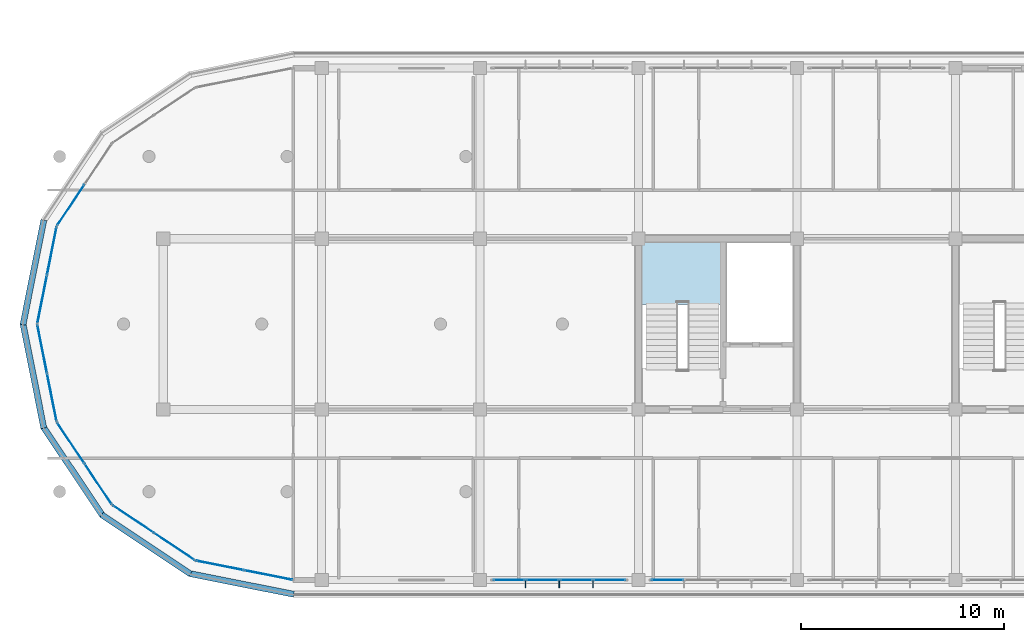
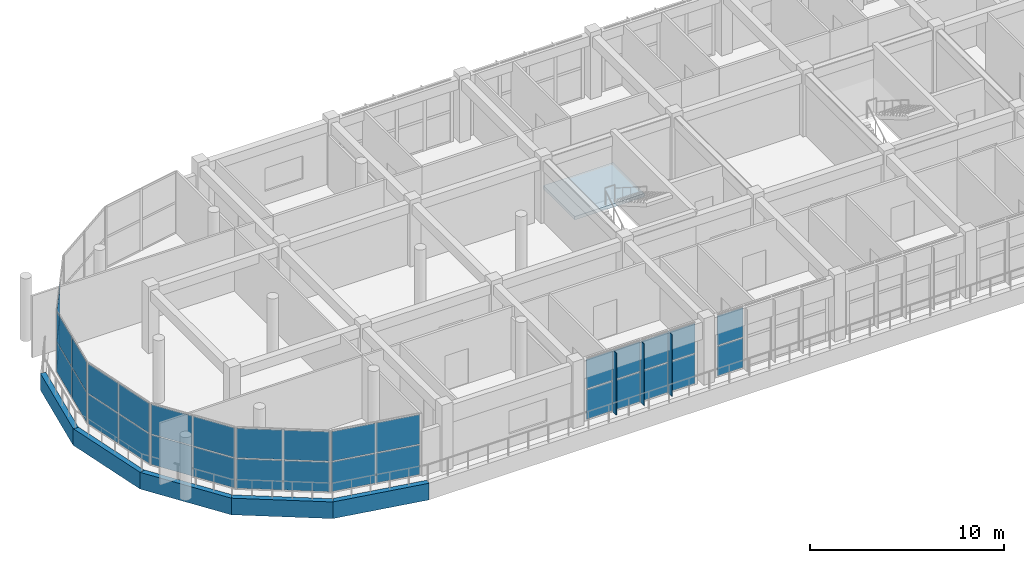
# One storey, part 37 of 57: 40 plates, 1 slab, 9 elements without a shape of their own.
"""IFC4 building model written with IfcOpenShell, lengths in metres."""

from ifc_helpers import new_model, si_unit, direction, frame, origin, origin_2d, place, context, subcontext, project, spatial, polyline, rectangle, outline, extrude, material, layer, layer_set, type_object, element, aggregate, save


model = new_model("IFC4")

# Units and contexts
model_context = context("Model", 3, precision=1e-05, world=origin(), true_north=direction((0.0, 1.0)))
body_context = subcontext(model_context, "Body", "Model", "MODEL_VIEW")
ifc_project = project(units=[si_unit("LENGTHUNIT", "METRE"), si_unit("AREAUNIT", "SQUARE_METRE"), si_unit("VOLUMEUNIT", "CUBIC_METRE"), si_unit("PLANEANGLEUNIT", "RADIAN"), si_unit("MASSUNIT", "GRAM", prefix="KILO")], contexts=[model_context])

# Site, building, storey
site_placement = place(None, origin())
site = spatial("IfcSite", under=ifc_project, at=site_placement, CompositionType="ELEMENT")
building_placement = place(site_placement, origin())
building = spatial("IfcBuilding", under=site, at=building_placement, Name="Zizhar Promenade General Hospital", CompositionType="ELEMENT")
storey_placement = place(building_placement, frame((0.0, 0.0, 22.199951171875)))
storey = spatial("IfcBuildingStorey", under=building, at=storey_placement, Name="L05", CompositionType="ELEMENT", Elevation=22.199951171875)

# Curtain wall, plates
ifc_material_1 = material(Name="Anodised aluminium 6063-T6 and low-E glass", Category="aluminium")
ifc_layer_1 = layer(ifc_material_1, 0.159912109375)
ifc_layer_set_1 = layer_set([ifc_layer_1], Name="Anodised aluminium 6063-T6 and low-E glass")
curtain_wall_type_1 = type_object("IfcCurtainWallType", Name="CW-WARD-ARC", PredefinedType="NOTDEFINED", material=ifc_layer_set_1)
curtain_wall_1_placement = place(storey_placement, origin())
curtain_wall_1 = element("IfcCurtainWall", 1, at=curtain_wall_1_placement, inside=storey, type_object=curtain_wall_type_1, Name="Ward Semicircular End Glazing L05-12", PredefinedType="NOTDEFINED")
ifc_material_2 = material(Name="Low-E solar-control glass", Category="glass")
ifc_layer_2 = layer(ifc_material_2, 0.031982421875)
ifc_layer_set_2 = layer_set([ifc_layer_2], Name="Low-E solar-control glass")
plate_type_1 = type_object("IfcPlateType", Name="CWP-GLZ-32", PredefinedType="CURTAIN_PANEL", material=ifc_layer_set_2)
plate_1_placement = place(storey_placement, frame((18.850341796875, 18.456298828125, 0.06005859375), z_axis=(0.0, 0.0, 1.0), x_axis=(0.555582352095, 0.831461514468, 0.0)))
plate_1 = element("IfcPlate", 2, at=plate_1_placement, type_object=plate_type_1, Name="CW-12 panel 1.1", PredefinedType="CURTAIN_PANEL", context=body_context, shape_type="SweptSolid", body=[
    extrude(rectangle(XDim=2.3681640625, YDim=0.031982421875, at=origin_2d()), origin(), (0.0, 0.0, 1.0), 1.860107421875),
])
plate_2_placement = place(storey_placement, frame((18.850341796875, 18.456298828125, 1.97998046875), z_axis=(0.0, 0.0, 1.0), x_axis=(0.555582352095, 0.831461514468, 0.0)))
plate_2 = element("IfcPlate", 3, at=plate_2_placement, type_object=plate_type_1, Name="CW-12 panel 1.2", PredefinedType="CURTAIN_PANEL", context=body_context, shape_type="SweptSolid", body=[
    extrude(rectangle(XDim=2.3681640625, YDim=0.031982421875, at=origin_2d()), origin(), (0.0, 0.0, 1.0), 1.860107421875),
])
aggregate(curtain_wall_1, [plate_1, plate_2])

curtain_wall_2_placement = place(storey_placement, origin())
curtain_wall_2 = element("IfcCurtainWall", 4, at=curtain_wall_2_placement, inside=storey, type_object=curtain_wall_type_1, Name="Ward Semicircular End Glazing L05-13", PredefinedType="NOTDEFINED")
plate_3_placement = place(storey_placement, frame((17.442626953125, 13.820068359375, 0.06005859375), z_axis=(0.0, 0.0, 1.0), x_axis=(0.195087259275, 0.980785889615, 0.0)))
plate_3 = element("IfcPlate", 5, at=plate_3_placement, type_object=plate_type_1, Name="CW-12 panel 1.1", PredefinedType="CURTAIN_PANEL", context=body_context, shape_type="SweptSolid", body=[
    extrude(rectangle(XDim=2.3681640625, YDim=0.031982421875, at=origin_2d()), origin(), (0.0, 0.0, 1.0), 1.860107421875),
])
plate_4_placement = place(storey_placement, frame((17.442626953125, 13.820068359375, 1.97998046875), z_axis=(0.0, 0.0, 1.0), x_axis=(0.195087259275, 0.980785889615, 0.0)))
plate_4 = element("IfcPlate", 6, at=plate_4_placement, type_object=plate_type_1, Name="CW-12 panel 1.2", PredefinedType="CURTAIN_PANEL", context=body_context, shape_type="SweptSolid", body=[
    extrude(rectangle(XDim=2.3681640625, YDim=0.031982421875, at=origin_2d()), origin(), (0.0, 0.0, 1.0), 1.860107421875),
])
plate_5_placement = place(storey_placement, frame((17.91650390625, 16.20166015625, 0.06005859375), z_axis=(0.0, 0.0, 1.0), x_axis=(0.195087259275, 0.980785889615, 0.0)))
plate_5 = element("IfcPlate", 7, at=plate_5_placement, type_object=plate_type_1, Name="CW-12 panel 2.1", PredefinedType="CURTAIN_PANEL", context=body_context, shape_type="SweptSolid", body=[
    extrude(rectangle(XDim=2.3681640625, YDim=0.031982421875, at=origin_2d()), origin(), (0.0, 0.0, 1.0), 1.860107421875),
])
plate_6_placement = place(storey_placement, frame((17.91650390625, 16.20166015625, 1.97998046875), z_axis=(0.0, 0.0, 1.0), x_axis=(0.195087259275, 0.980785889615, 0.0)))
plate_6 = element("IfcPlate", 8, at=plate_6_placement, type_object=plate_type_1, Name="CW-12 panel 2.2", PredefinedType="CURTAIN_PANEL", context=body_context, shape_type="SweptSolid", body=[
    extrude(rectangle(XDim=2.3681640625, YDim=0.031982421875, at=origin_2d()), origin(), (0.0, 0.0, 1.0), 1.860107421875),
])
aggregate(curtain_wall_2, [plate_3, plate_4, plate_5, plate_6])

curtain_wall_3_placement = place(storey_placement, origin())
curtain_wall_3 = element("IfcCurtainWall", 9, at=curtain_wall_3_placement, inside=storey, type_object=curtain_wall_type_1, Name="Ward Semicircular End Glazing L05-14", PredefinedType="NOTDEFINED")
plate_7_placement = place(storey_placement, frame((17.91650390625, 8.998291015625, 0.06005859375), z_axis=(0.0, 0.0, 1.0), x_axis=(-0.195087259275, 0.980785889615, 0.0)))
plate_7 = element("IfcPlate", 10, at=plate_7_placement, type_object=plate_type_1, Name="CW-12 panel 1.1", PredefinedType="CURTAIN_PANEL", context=body_context, shape_type="SweptSolid", body=[
    extrude(rectangle(XDim=2.3681640625, YDim=0.031982421875, at=origin_2d()), origin(), (0.0, 0.0, 1.0), 1.860107421875),
])
plate_8_placement = place(storey_placement, frame((17.91650390625, 8.998291015625, 1.97998046875), z_axis=(0.0, 0.0, 1.0), x_axis=(-0.195087259275, 0.980785889615, 0.0)))
plate_8 = element("IfcPlate", 11, at=plate_8_placement, type_object=plate_type_1, Name="CW-12 panel 1.2", PredefinedType="CURTAIN_PANEL", context=body_context, shape_type="SweptSolid", body=[
    extrude(rectangle(XDim=2.3681640625, YDim=0.031982421875, at=origin_2d()), origin(), (0.0, 0.0, 1.0), 1.860107421875),
])
plate_9_placement = place(storey_placement, frame((17.442626953125, 11.3798828125, 0.06005859375), z_axis=(0.0, 0.0, 1.0), x_axis=(-0.195087259275, 0.980785889615, 0.0)))
plate_9 = element("IfcPlate", 12, at=plate_9_placement, type_object=plate_type_1, Name="CW-12 panel 2.1", PredefinedType="CURTAIN_PANEL", context=body_context, shape_type="SweptSolid", body=[
    extrude(rectangle(XDim=2.3681640625, YDim=0.031982421875, at=origin_2d()), origin(), (0.0, 0.0, 1.0), 1.860107421875),
])
plate_10_placement = place(storey_placement, frame((17.442626953125, 11.3798828125, 1.97998046875), z_axis=(0.0, 0.0, 1.0), x_axis=(-0.195087259275, 0.980785889615, 0.0)))
plate_10 = element("IfcPlate", 13, at=plate_10_placement, type_object=plate_type_1, Name="CW-12 panel 2.2", PredefinedType="CURTAIN_PANEL", context=body_context, shape_type="SweptSolid", body=[
    extrude(rectangle(XDim=2.3681640625, YDim=0.031982421875, at=origin_2d()), origin(), (0.0, 0.0, 1.0), 1.860107421875),
])
aggregate(curtain_wall_3, [plate_7, plate_8, plate_9, plate_10])

curtain_wall_4_placement = place(storey_placement, origin())
curtain_wall_4 = element("IfcCurtainWall", 14, at=curtain_wall_4_placement, inside=storey, type_object=curtain_wall_type_1, Name="Ward Semicircular End Glazing L05-15", PredefinedType="NOTDEFINED")
plate_11_placement = place(storey_placement, frame((20.19921875, 4.724853515625, 0.06005859375), z_axis=(0.0, 0.0, 1.0), x_axis=(-0.555582352095, 0.831461514468, 0.0)))
plate_11 = element("IfcPlate", 15, at=plate_11_placement, type_object=plate_type_1, Name="CW-12 panel 1.1", PredefinedType="CURTAIN_PANEL", context=body_context, shape_type="SweptSolid", body=[
    extrude(rectangle(XDim=2.3681640625, YDim=0.031982421875, at=origin_2d()), origin(), (0.0, 0.0, 1.0), 1.860107421875),
])
plate_12_placement = place(storey_placement, frame((20.19921875, 4.724853515625, 1.97998046875), z_axis=(0.0, 0.0, 1.0), x_axis=(-0.555582352095, 0.831461514468, 0.0)))
plate_12 = element("IfcPlate", 16, at=plate_12_placement, type_object=plate_type_1, Name="CW-12 panel 1.2", PredefinedType="CURTAIN_PANEL", context=body_context, shape_type="SweptSolid", body=[
    extrude(rectangle(XDim=2.3681640625, YDim=0.031982421875, at=origin_2d()), origin(), (0.0, 0.0, 1.0), 1.860107421875),
])
plate_13_placement = place(storey_placement, frame((18.850341796875, 6.743896484375, 0.06005859375), z_axis=(0.0, 0.0, 1.0), x_axis=(-0.555582352095, 0.831461514468, 0.0)))
plate_13 = element("IfcPlate", 17, at=plate_13_placement, type_object=plate_type_1, Name="CW-12 panel 2.1", PredefinedType="CURTAIN_PANEL", context=body_context, shape_type="SweptSolid", body=[
    extrude(rectangle(XDim=2.3681640625, YDim=0.031982421875, at=origin_2d()), origin(), (0.0, 0.0, 1.0), 1.860107421875),
])
plate_14_placement = place(storey_placement, frame((18.850341796875, 6.743896484375, 1.97998046875), z_axis=(0.0, 0.0, 1.0), x_axis=(-0.555582352095, 0.831461514468, 0.0)))
plate_14 = element("IfcPlate", 18, at=plate_14_placement, type_object=plate_type_1, Name="CW-12 panel 2.2", PredefinedType="CURTAIN_PANEL", context=body_context, shape_type="SweptSolid", body=[
    extrude(rectangle(XDim=2.3681640625, YDim=0.031982421875, at=origin_2d()), origin(), (0.0, 0.0, 1.0), 1.860107421875),
])
aggregate(curtain_wall_4, [plate_11, plate_12, plate_13, plate_14])

curtain_wall_5_placement = place(storey_placement, origin())
curtain_wall_5 = element("IfcCurtainWall", 19, at=curtain_wall_5_placement, inside=storey, type_object=curtain_wall_type_1, Name="Ward Semicircular End Glazing L05-16", PredefinedType="NOTDEFINED")
plate_15_placement = place(storey_placement, frame((23.94384765625, 1.650390625, 0.06005859375), z_axis=(0.0, 0.0, 1.0), x_axis=(-0.831461514468, 0.555582352095, 0.0)))
plate_15 = element("IfcPlate", 20, at=plate_15_placement, type_object=plate_type_1, Name="CW-12 panel 1.1", PredefinedType="CURTAIN_PANEL", context=body_context, shape_type="SweptSolid", body=[
    extrude(rectangle(XDim=2.3681640625, YDim=0.031982421875, at=origin_2d()), origin(), (0.0, 0.0, 1.0), 1.860107421875),
])
plate_16_placement = place(storey_placement, frame((23.94384765625, 1.650390625, 1.97998046875), z_axis=(0.0, 0.0, 1.0), x_axis=(-0.831461514468, 0.555582352095, 0.0)))
plate_16 = element("IfcPlate", 21, at=plate_16_placement, type_object=plate_type_1, Name="CW-12 panel 1.2", PredefinedType="CURTAIN_PANEL", context=body_context, shape_type="SweptSolid", body=[
    extrude(rectangle(XDim=2.3681640625, YDim=0.031982421875, at=origin_2d()), origin(), (0.0, 0.0, 1.0), 1.860107421875),
])
plate_17_placement = place(storey_placement, frame((21.9248046875, 2.999267578125, 0.06005859375), z_axis=(0.0, 0.0, 1.0), x_axis=(-0.831461514468, 0.555582352095, 0.0)))
plate_17 = element("IfcPlate", 22, at=plate_17_placement, type_object=plate_type_1, Name="CW-12 panel 2.1", PredefinedType="CURTAIN_PANEL", context=body_context, shape_type="SweptSolid", body=[
    extrude(rectangle(XDim=2.3681640625, YDim=0.031982421875, at=origin_2d()), origin(), (0.0, 0.0, 1.0), 1.860107421875),
])
plate_18_placement = place(storey_placement, frame((21.9248046875, 2.999267578125, 1.97998046875), z_axis=(0.0, 0.0, 1.0), x_axis=(-0.831461514468, 0.555582352095, 0.0)))
plate_18 = element("IfcPlate", 23, at=plate_18_placement, type_object=plate_type_1, Name="CW-12 panel 2.2", PredefinedType="CURTAIN_PANEL", context=body_context, shape_type="SweptSolid", body=[
    extrude(rectangle(XDim=2.3681640625, YDim=0.031982421875, at=origin_2d()), origin(), (0.0, 0.0, 1.0), 1.860107421875),
])
aggregate(curtain_wall_5, [plate_15, plate_16, plate_17, plate_18])

curtain_wall_6_placement = place(storey_placement, origin())
curtain_wall_6 = element("IfcCurtainWall", 24, at=curtain_wall_6_placement, inside=storey, type_object=curtain_wall_type_1, Name="Ward Semicircular End Glazing L05-17", PredefinedType="NOTDEFINED")
plate_19_placement = place(storey_placement, frame((28.579833984375, 0.24267578125, 0.06005859375), z_axis=(0.0, 0.0, 1.0), x_axis=(-0.980785889615, 0.195087259275, 0.0)))
plate_19 = element("IfcPlate", 25, at=plate_19_placement, type_object=plate_type_1, Name="CW-12 panel 1.1", PredefinedType="CURTAIN_PANEL", context=body_context, shape_type="SweptSolid", body=[
    extrude(rectangle(XDim=2.3681640625, YDim=0.031982421875, at=origin_2d()), origin(), (0.0, 0.0, 1.0), 1.860107421875),
])
plate_20_placement = place(storey_placement, frame((28.579833984375, 0.24267578125, 1.97998046875), z_axis=(0.0, 0.0, 1.0), x_axis=(-0.980785889615, 0.195087259275, 0.0)))
plate_20 = element("IfcPlate", 26, at=plate_20_placement, type_object=plate_type_1, Name="CW-12 panel 1.2", PredefinedType="CURTAIN_PANEL", context=body_context, shape_type="SweptSolid", body=[
    extrude(rectangle(XDim=2.3681640625, YDim=0.031982421875, at=origin_2d()), origin(), (0.0, 0.0, 1.0), 1.860107421875),
])
plate_21_placement = place(storey_placement, frame((26.1982421875, 0.71630859375, 0.06005859375), z_axis=(0.0, 0.0, 1.0), x_axis=(-0.980785889615, 0.195087259275, 0.0)))
plate_21 = element("IfcPlate", 27, at=plate_21_placement, type_object=plate_type_1, Name="CW-12 panel 2.1", PredefinedType="CURTAIN_PANEL", context=body_context, shape_type="SweptSolid", body=[
    extrude(rectangle(XDim=2.3681640625, YDim=0.031982421875, at=origin_2d()), origin(), (0.0, 0.0, 1.0), 1.860107421875),
])
plate_22_placement = place(storey_placement, frame((26.1982421875, 0.71630859375, 1.97998046875), z_axis=(0.0, 0.0, 1.0), x_axis=(-0.980785889615, 0.195087259275, 0.0)))
plate_22 = element("IfcPlate", 28, at=plate_22_placement, type_object=plate_type_1, Name="CW-12 panel 2.2", PredefinedType="CURTAIN_PANEL", context=body_context, shape_type="SweptSolid", body=[
    extrude(rectangle(XDim=2.3681640625, YDim=0.031982421875, at=origin_2d()), origin(), (0.0, 0.0, 1.0), 1.860107421875),
])
aggregate(curtain_wall_6, [plate_19, plate_20, plate_21, plate_22])

ifc_material_3 = material(Name="Anodised aluminium 6063-T6 and low-E glass", Category="aluminium")
ifc_layer_3 = layer(ifc_material_3, 0.159912109375)
ifc_layer_set_3 = layer_set([ifc_layer_3], Name="Anodised aluminium 6063-T6 and low-E glass")
curtain_wall_type_2 = type_object("IfcCurtainWallType", Name="CW-WARD-RIB", PredefinedType="NOTDEFINED", material=ifc_layer_set_3)
curtain_wall_7_placement = place(storey_placement, origin())
curtain_wall_7 = element("IfcCurtainWall", 29, at=curtain_wall_7_placement, inside=storey, type_object=curtain_wall_type_2, Name="Ward Ribbon Curtain Wall L05-17-8", PredefinedType="NOTDEFINED")
plate_23_placement = place(storey_placement, frame((48.22998046875, 0.0, 0.06005859375), z_axis=(0.0, 0.0, 1.0), x_axis=(-1.0, 0.0, 0.0)))
plate_23 = element("IfcPlate", 30, at=plate_23_placement, type_object=plate_type_1, Name="CW-13 panel 4.1", PredefinedType="CURTAIN_PANEL", context=body_context, shape_type="SweptSolid", body=[
    extrude(rectangle(XDim=1.5400390625, YDim=0.031982421875, at=origin_2d()), origin(), (0.0, 0.0, 1.0), 1.860107421875),
])
plate_24_placement = place(storey_placement, frame((48.22998046875, 0.0, 1.97998046875), z_axis=(0.0, 0.0, 1.0), x_axis=(-1.0, 0.0, 0.0)))
plate_24 = element("IfcPlate", 31, at=plate_24_placement, type_object=plate_type_1, Name="CW-13 panel 4.2", PredefinedType="CURTAIN_PANEL", context=body_context, shape_type="SweptSolid", body=[
    extrude(rectangle(XDim=1.5400390625, YDim=0.031982421875, at=origin_2d()), origin(), (0.0, 0.0, 1.0), 1.860107421875),
])
aggregate(curtain_wall_7, [plate_23, plate_24])

curtain_wall_8_placement = place(storey_placement, origin())
curtain_wall_8 = element("IfcCurtainWall", 32, at=curtain_wall_8_placement, inside=storey, type_object=curtain_wall_type_2, Name="Ward Ribbon Curtain Wall L05-17-9", PredefinedType="NOTDEFINED")
plate_25_placement = place(storey_placement, frame((45.3701171875, 0.0, 0.06005859375), z_axis=(0.0, 0.0, 1.0), x_axis=(-1.0, 0.0, 0.0)))
plate_25 = element("IfcPlate", 33, at=plate_25_placement, type_object=plate_type_1, Name="CW-13 panel 1.1", PredefinedType="CURTAIN_PANEL", context=body_context, shape_type="SweptSolid", body=[
    extrude(rectangle(XDim=1.5400390625, YDim=0.031982421875, at=origin_2d()), origin(), (0.0, 0.0, 1.0), 1.860107421875),
])
plate_26_placement = place(storey_placement, frame((45.3701171875, 0.0, 1.97998046875), z_axis=(0.0, 0.0, 1.0), x_axis=(-1.0, 0.0, 0.0)))
plate_26 = element("IfcPlate", 34, at=plate_26_placement, type_object=plate_type_1, Name="CW-13 panel 1.2", PredefinedType="CURTAIN_PANEL", context=body_context, shape_type="SweptSolid", body=[
    extrude(rectangle(XDim=1.5400390625, YDim=0.031982421875, at=origin_2d()), origin(), (0.0, 0.0, 1.0), 1.860107421875),
])
plate_27_placement = place(storey_placement, frame((43.72998046875, 0.0, 0.06005859375), z_axis=(0.0, 0.0, 1.0), x_axis=(-1.0, 0.0, 0.0)))
plate_27 = element("IfcPlate", 35, at=plate_27_placement, type_object=plate_type_1, Name="CW-13 panel 2.1", PredefinedType="CURTAIN_PANEL", context=body_context, shape_type="SweptSolid", body=[
    extrude(rectangle(XDim=1.580078125, YDim=0.031982421875, at=origin_2d()), origin(), (0.0, 0.0, 1.0), 1.860107421875),
])
plate_28_placement = place(storey_placement, frame((43.72998046875, 0.0, 1.97998046875), z_axis=(0.0, 0.0, 1.0), x_axis=(-1.0, 0.0, 0.0)))
plate_28 = element("IfcPlate", 36, at=plate_28_placement, type_object=plate_type_1, Name="CW-13 panel 2.2", PredefinedType="CURTAIN_PANEL", context=body_context, shape_type="SweptSolid", body=[
    extrude(rectangle(XDim=1.580078125, YDim=0.031982421875, at=origin_2d()), origin(), (0.0, 0.0, 1.0), 1.860107421875),
])
plate_29_placement = place(storey_placement, frame((42.070068359375, 0.0, 0.06005859375), z_axis=(0.0, 0.0, 1.0), x_axis=(-1.0, 0.0, 0.0)))
plate_29 = element("IfcPlate", 37, at=plate_29_placement, type_object=plate_type_1, Name="CW-13 panel 3.1", PredefinedType="CURTAIN_PANEL", context=body_context, shape_type="SweptSolid", body=[
    extrude(rectangle(XDim=1.580078125, YDim=0.031982421875, at=origin_2d()), origin(), (0.0, 0.0, 1.0), 1.860107421875),
])
plate_30_placement = place(storey_placement, frame((42.070068359375, 0.0, 1.97998046875), z_axis=(0.0, 0.0, 1.0), x_axis=(-1.0, 0.0, 0.0)))
plate_30 = element("IfcPlate", 38, at=plate_30_placement, type_object=plate_type_1, Name="CW-13 panel 3.2", PredefinedType="CURTAIN_PANEL", context=body_context, shape_type="SweptSolid", body=[
    extrude(rectangle(XDim=1.580078125, YDim=0.031982421875, at=origin_2d()), origin(), (0.0, 0.0, 1.0), 1.860107421875),
])
plate_31_placement = place(storey_placement, frame((40.429931640625, 0.0, 0.06005859375), z_axis=(0.0, 0.0, 1.0), x_axis=(-1.0, 0.0, 0.0)))
plate_31 = element("IfcPlate", 39, at=plate_31_placement, type_object=plate_type_1, Name="CW-13 panel 4.1", PredefinedType="CURTAIN_PANEL", context=body_context, shape_type="SweptSolid", body=[
    extrude(rectangle(XDim=1.5400390625, YDim=0.031982421875, at=origin_2d()), origin(), (0.0, 0.0, 1.0), 1.860107421875),
])
plate_32_placement = place(storey_placement, frame((40.429931640625, 0.0, 1.97998046875), z_axis=(0.0, 0.0, 1.0), x_axis=(-1.0, 0.0, 0.0)))
plate_32 = element("IfcPlate", 40, at=plate_32_placement, type_object=plate_type_1, Name="CW-13 panel 4.2", PredefinedType="CURTAIN_PANEL", context=body_context, shape_type="SweptSolid", body=[
    extrude(rectangle(XDim=1.5400390625, YDim=0.031982421875, at=origin_2d()), origin(), (0.0, 0.0, 1.0), 1.860107421875),
])
aggregate(curtain_wall_8, [plate_25, plate_26, plate_27, plate_28, plate_29, plate_30, plate_31, plate_32])

# Plates
ifc_material_4 = material(Name="Anodised aluminium 6063-T6", Category="aluminium")
ifc_layer_4 = layer(ifc_material_4, 0.035888671875)
ifc_layer_set_4 = layer_set([ifc_layer_4], Name="Anodised aluminium 6063-T6")
plate_type_2 = type_object("IfcPlateType", Name="FIN-ALU-380", PredefinedType="USERDEFINED", material=ifc_layer_set_4)
plate_33_placement = place(storey_placement, origin())
element("IfcPlate", 41, at=plate_33_placement, inside=storey, type_object=plate_type_2, Name="Ward Ribbon Curtain Wall L05-17-9 Solar Fin 1", ObjectType="SOLAR_SHADE", PredefinedType="USERDEFINED", context=body_context, shape_type="SweptSolid", body=[
    extrude(outline(polyline([(44.577880859375, 0.0), (44.5419921875, 0.0), (44.5419921875, -0.3798828125), (44.577880859375, -0.3798828125), (44.577880859375, 0.0)])), origin(), (0.0, 0.0, 1.0), 3.900146484375),
])
plate_34_placement = place(storey_placement, origin())
element("IfcPlate", 42, at=plate_34_placement, inside=storey, type_object=plate_type_2, Name="Ward Ribbon Curtain Wall L05-17-9 Solar Fin 2", ObjectType="SOLAR_SHADE", PredefinedType="USERDEFINED", context=body_context, shape_type="SweptSolid", body=[
    extrude(outline(polyline([(42.91796875, 0.0), (42.882080078125, 0.0), (42.882080078125, -0.3798828125), (42.91796875, -0.3798828125), (42.91796875, 0.0)])), origin(), (0.0, 0.0, 1.0), 3.900146484375),
])
plate_35_placement = place(storey_placement, origin())
element("IfcPlate", 43, at=plate_35_placement, inside=storey, type_object=plate_type_2, Name="Ward Ribbon Curtain Wall L05-17-9 Solar Fin 3", ObjectType="SOLAR_SHADE", PredefinedType="USERDEFINED", context=body_context, shape_type="SweptSolid", body=[
    extrude(outline(polyline([(41.258056640625, 0.0), (41.221923828125, 0.0), (41.221923828125, -0.3798828125), (41.258056640625, -0.3798828125), (41.258056640625, 0.0)])), origin(), (0.0, 0.0, 1.0), 3.900146484375),
])
ifc_material_5 = material(Name="Precast concrete C40/50", Category="concrete")
ifc_layer_5 = layer(ifc_material_5, 0.300048828125)
ifc_layer_set_5 = layer_set([ifc_layer_5], Name="Precast concrete C40/50")
plate_type_3 = type_object("IfcPlateType", Name="PL-PC-BAND1100", PredefinedType="USERDEFINED", material=ifc_layer_set_5)
plate_36_placement = place(storey_placement, frame((0.0, 0.0, -1.050048828125)))
element("IfcPlate", 44, at=plate_36_placement, inside=storey, type_object=plate_type_3, Name="Ward Precast Slab Band L05-13", ObjectType="FASCIA_BAND", PredefinedType="USERDEFINED", context=body_context, shape_type="SweptSolid", body=[
    extrude(outline(polyline([(17.373779296875, 17.7470703125), (16.35009765625, 12.60009765625), (16.644287109375, 12.54150390625), (17.66796875, 17.688720703125), (17.373779296875, 17.7470703125)])), origin(), (0.0, 0.0, 1.0), 1.050048828125),
])
plate_37_placement = place(storey_placement, frame((0.0, 0.0, -1.050048828125)))
element("IfcPlate", 45, at=plate_37_placement, inside=storey, type_object=plate_type_3, Name="Ward Precast Slab Band L05-14", ObjectType="FASCIA_BAND", PredefinedType="USERDEFINED", context=body_context, shape_type="SweptSolid", body=[
    extrude(outline(polyline([(16.35009765625, 12.60009765625), (17.373779296875, 7.452880859375), (17.66796875, 7.511474609375), (16.644287109375, 12.658447265625), (16.35009765625, 12.60009765625)])), origin(), (0.0, 0.0, 1.0), 1.050048828125),
])
plate_38_placement = place(storey_placement, frame((0.0, 0.0, -1.050048828125)))
element("IfcPlate", 46, at=plate_38_placement, inside=storey, type_object=plate_type_3, Name="Ward Precast Slab Band L05-15", ObjectType="FASCIA_BAND", PredefinedType="USERDEFINED", context=body_context, shape_type="SweptSolid", body=[
    extrude(outline(polyline([(17.373779296875, 7.452880859375), (20.289306640625, 3.08935546875), (20.538818359375, 3.256103515625), (17.623291015625, 7.61962890625), (17.373779296875, 7.452880859375)])), origin(), (0.0, 0.0, 1.0), 1.050048828125),
])
plate_39_placement = place(storey_placement, frame((0.0, 0.0, -1.050048828125)))
element("IfcPlate", 47, at=plate_39_placement, inside=storey, type_object=plate_type_3, Name="Ward Precast Slab Band L05-16", ObjectType="FASCIA_BAND", PredefinedType="USERDEFINED", context=body_context, shape_type="SweptSolid", body=[
    extrude(outline(polyline([(20.289306640625, 3.08935546875), (24.65283203125, 0.173828125), (24.819580078125, 0.423095703125), (20.4560546875, 3.3388671875), (20.289306640625, 3.08935546875)])), origin(), (0.0, 0.0, 1.0), 1.050048828125),
])
plate_40_placement = place(storey_placement, frame((0.0, 0.0, -1.050048828125)))
element("IfcPlate", 48, at=plate_40_placement, inside=storey, type_object=plate_type_3, Name="Ward Precast Slab Band L05-17", ObjectType="FASCIA_BAND", PredefinedType="USERDEFINED", context=body_context, shape_type="SweptSolid", body=[
    extrude(outline(polyline([(24.65283203125, 0.173828125), (29.800048828125, -0.85009765625), (29.8583984375, -0.555908203125), (24.71142578125, 0.468017578125), (24.65283203125, 0.173828125)])), origin(), (0.0, 0.0, 1.0), 1.050048828125),
])

# Stair, slab
ifc_material_6 = material(Name="Concrete C35/45", Category="concrete")
stair_type = type_object("IfcStairType", Name="STR-DOG-420", PredefinedType="HALF_TURN_STAIR", material=ifc_material_6)
stair_placement = place(storey_placement, origin())
stair = element("IfcStair", 49, at=stair_placement, inside=storey, type_object=stair_type, Name="Exit Stair ST-02 (L05 to L06)", PredefinedType="HALF_TURN_STAIR")
ifc_material_7 = material(Name="Concrete C35/45", Category="concrete")
ifc_layer_6 = layer(ifc_material_7, 0.2099609375)
ifc_layer_set_6 = layer_set([ifc_layer_6], Name="Concrete C35/45")
slab_type = type_object("IfcSlabType", Name="SLB-LAND-420", PredefinedType="LANDING", material=ifc_layer_set_6)
slab_placement = place(storey_placement, frame((0.0, 0.0, 1.89013671875)))
slab = element("IfcSlab", 50, at=slab_placement, type_object=slab_type, Name="ST-02C landing 1", PredefinedType="LANDING", context=body_context, shape_type="SweptSolid", body=[
    extrude(outline(polyline([(46.800048828125, 13.570068359375), (50.949951171875, 13.570068359375), (50.949951171875, 16.800048828125), (46.800048828125, 16.800048828125), (46.800048828125, 13.570068359375)])), origin(), (0.0, 0.0, 1.0), 0.2099609375),
])
aggregate(stair, [slab])

save(model, "model.ifc")
